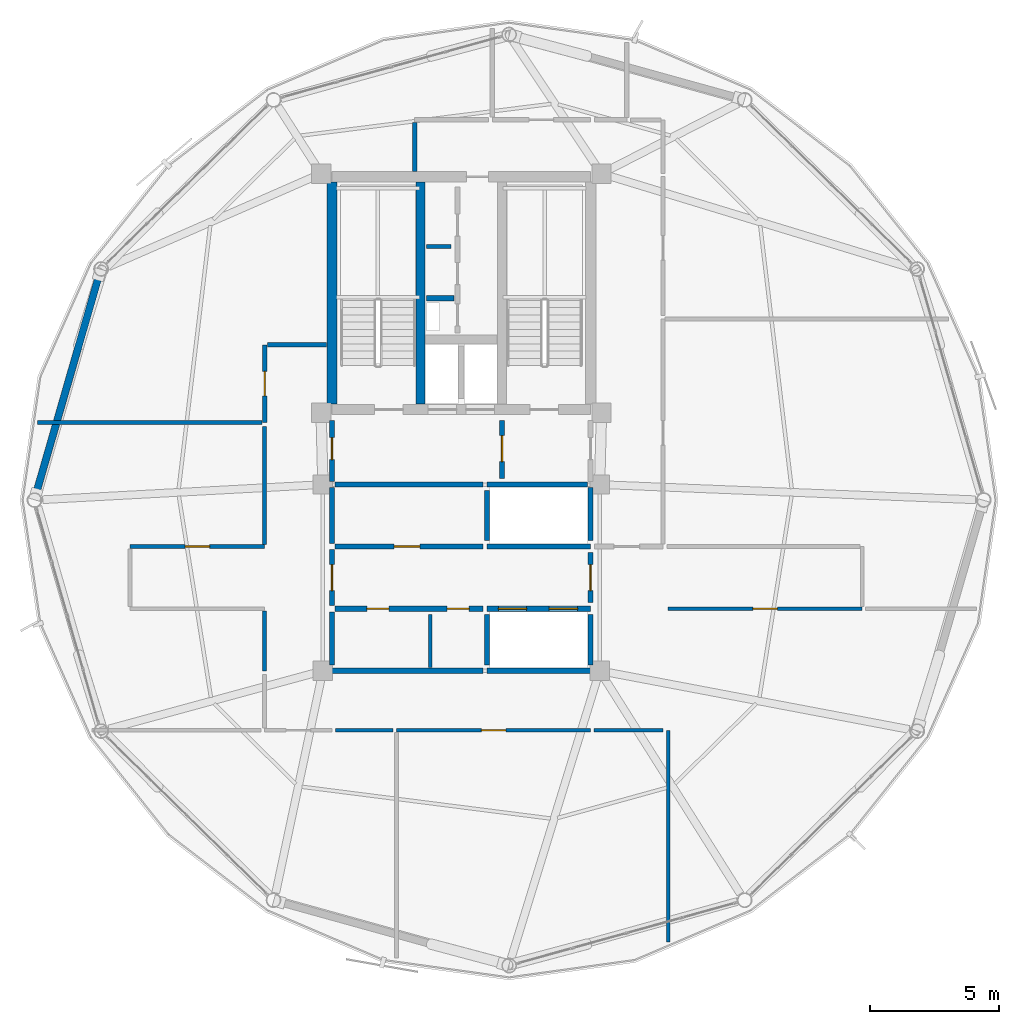
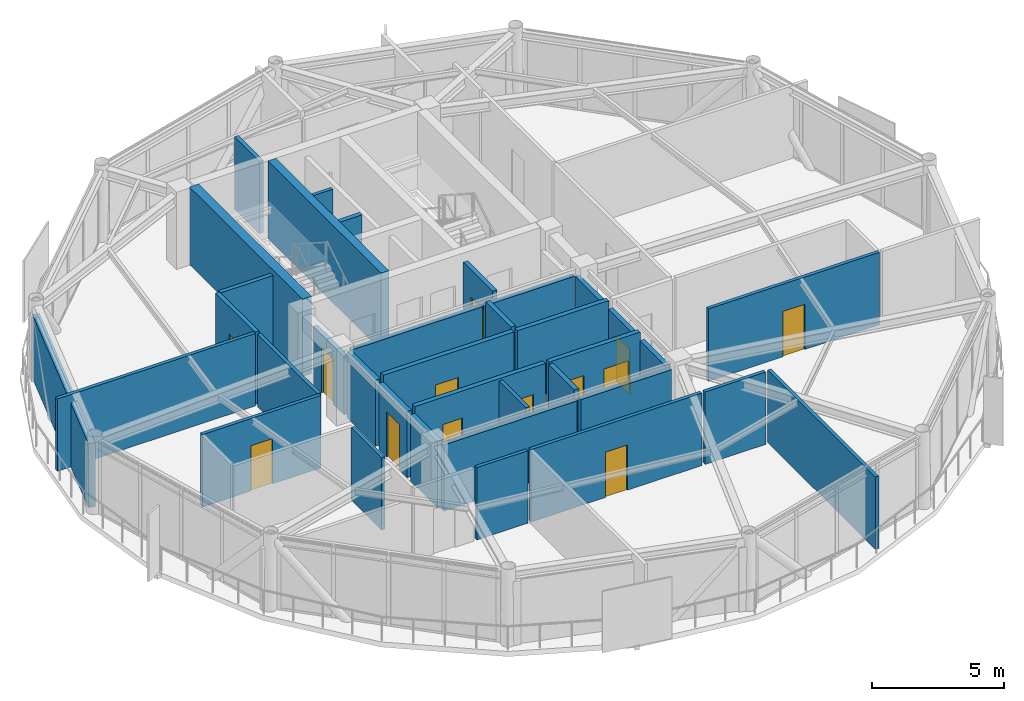
# One storey, part 21 of 26: 36 walls, 13 doors, 13 openings.
"""IFC4 building model written with IfcOpenShell, lengths in metres."""

from ifc_helpers import new_model, si_unit, direction, frame, frame_2d, origin, place, context, subcontext, project, spatial, rectangle, extrude, material, layer, layer_set, type_object, element, fill, save


model = new_model("IFC4")

# Units and contexts
model_context = context("Model", 3, precision=1e-05, world=origin(), true_north=direction((0.0, 1.0)))
body_context = subcontext(model_context, "Body", "Model", "MODEL_VIEW")
ifc_project = project(units=[si_unit("LENGTHUNIT", "METRE"), si_unit("AREAUNIT", "SQUARE_METRE"), si_unit("VOLUMEUNIT", "CUBIC_METRE"), si_unit("PLANEANGLEUNIT", "RADIAN"), si_unit("MASSUNIT", "GRAM", prefix="KILO")], contexts=[model_context])

# Site, building, storey
site_placement = place(None, origin())
site = spatial("IfcSite", under=ifc_project, at=site_placement, CompositionType="ELEMENT")
building_placement = place(site_placement, origin())
building = spatial("IfcBuilding", under=site, at=building_placement, Name="Varnakorn Sky Granary", CompositionType="ELEMENT")
storey_placement = place(building_placement, frame((0.0, 0.0, 256.199951171875)))
storey = spatial("IfcBuildingStorey", under=building, at=storey_placement, Name="L65", CompositionType="ELEMENT", Elevation=256.199951171875)

# Walls
ifc_material_1 = material(Name="Concrete C50/60", Category="concrete")
ifc_layer_1 = layer(ifc_material_1, 0.35009765625, Name="Concrete C50/60")
ifc_layer_set_1 = layer_set([ifc_layer_1], Name="Concrete C50/60")
wall_type_1 = type_object("IfcWallType", Name="WT-CW-INT-350", PredefinedType="SHEAR", material=ifc_layer_set_1)
wall_1_placement = place(storey_placement, frame((1.419921875, 3.7099609375, 0.0), z_axis=(0.0, 0.0, 1.0), x_axis=(0.0, 1.0, 0.0)))
element("IfcWall", 1, at=wall_1_placement, inside=storey, type_object=wall_type_1, Name="Stair ST-1 Core Wall L65", PredefinedType="SHEAR", context=body_context, shape_type="SweptSolid", body=[
    extrude(rectangle(XDim=8.580078125, YDim=0.35009765625, at=frame_2d((4.2900390625, 0.0))), origin(), (0.0, 0.0, 1.0), 3.592041015625),
])
ifc_layer_2 = layer(ifc_material_1, 0.39990234375, Name="Concrete C50/60")
ifc_layer_set_2 = layer_set([ifc_layer_2], Name="Concrete C50/60")
wall_type_2 = type_object("IfcWallType", Name="WT-CW-SHEAR-400", PredefinedType="SHEAR", material=ifc_layer_set_2)
wall_2_placement = place(storey_placement, frame((-2.0, 3.7099609375, 0.0), z_axis=(0.0, 0.0, 1.0), x_axis=(0.0, 1.0, 0.0)))
element("IfcWall", 2, at=wall_2_placement, inside=storey, type_object=wall_type_2, Name="Core West Shear Wall L65", PredefinedType="SHEAR", context=body_context, shape_type="SweptSolid", body=[
    extrude(rectangle(XDim=8.580078125, YDim=0.39990234375, at=frame_2d((4.2900390625, 0.0))), origin(), (0.0, 0.0, 1.0), 3.592041015625),
])
ifc_material_2 = material(Name="Precast concrete C40/50", Category="concrete")
ifc_layer_3 = layer(ifc_material_2, 0.280029296875, Name="Precast concrete C40/50")
ifc_layer_set_3 = layer_set([ifc_layer_3], Name="Precast concrete C40/50")
wall_type_3 = type_object("IfcWallType", Name="WT-EW-CRN-280", PredefinedType="SOLIDWALL", material=ifc_layer_set_3)
wall_3_placement = place(storey_placement, frame((-13.445068359375, 0.225341796875, 0.0), z_axis=(0.0, 0.0, 1.0), x_axis=(0.277093893844, 0.960842845628, 0.0)))
element("IfcWall", 3, at=wall_3_placement, inside=storey, type_object=wall_type_3, Name="Agritech Insulated Precast Facade Wall L65-P06", PredefinedType="SOLIDWALL", context=body_context, shape_type="SweptSolid", body=[
    extrude(rectangle(XDim=8.830078125, YDim=0.280029296875, at=frame_2d((4.4150390625, 0.0))), origin(), (0.0, 0.0, 1.0), 2.969970703125),
])

# Wall, opening, door
ifc_material_3 = material(Name="Autoclaved Aerated Concrete Blockwork", Category="masonry")
ifc_layer_4 = layer(ifc_material_3, 0.199951171875, Name="Autoclaved Aerated Concrete Blockwork")
ifc_layer_set_4 = layer_set([ifc_layer_4], Name="Autoclaved Aerated Concrete Blockwork")
wall_type_4 = type_object("IfcWallType", Name="WT-FIRE-200", PredefinedType="MOVABLE", material=ifc_layer_set_4)
wall_4_placement = place(storey_placement, frame((4.580078125, 0.830078125, 0.0), z_axis=(0.0, 0.0, 1.0), x_axis=(0.0, 1.0, 0.0)))
wall_4 = element("IfcWall", 4, at=wall_4_placement, inside=storey, type_object=wall_type_4, Name="Interior Partition Wall L65-012", PredefinedType="MOVABLE", context=body_context, shape_type="SweptSolid", body=[
    extrude(rectangle(XDim=2.239990234375, YDim=0.199951171875, at=frame_2d((1.1201171875, 0.0))), origin(), (0.0, 0.0, 1.0), 3.360107421875),
])
opening_1_placement = place(wall_4_placement, frame((0.659912109375, 0.0, 0.0)))
opening_1 = element("IfcOpeningElement", 5, at=opening_1_placement, cuts=wall_4, Name="Opening FD-60", PredefinedType="OPENING", context=body_context, shape_type="SweptSolid", body=[
    extrude(rectangle(XDim=1.0, YDim=2.10009765625, at=frame_2d((0.5, 1.050048828125))), frame((0.0, 0.10986328125, 0.0), z_axis=(0.0, -1.0, 0.0), x_axis=(1.0, 0.0, 0.0)), (0.0, 0.0, 1.0), 0.219970703125),
])
ifc_material_4 = material(Name="Acoustic Timber Fire Leaf", Category="wood")
door_type_1 = type_object("IfcDoorType", Name="DR-FD60-1000", OperationType="NOTDEFINED", PredefinedType="DOOR", material=ifc_material_4)
door_1_placement = place(opening_1_placement, origin())
door_1 = element("IfcDoor", 6, at=door_1_placement, inside=storey, type_object=door_type_1, Name="Interior Door L65-012-1", OperationType="SINGLE_SWING_LEFT", OverallHeight=2.10009765625, OverallWidth=1.0, PredefinedType="DOOR", context=body_context, shape_type="SweptSolid", body=[
    extrude(rectangle(XDim=1.0, YDim=2.10009765625, at=frame_2d((0.5, 1.050048828125))), frame((0.0, 0.02490234375, 0.0), z_axis=(0.0, -1.0, 0.0), x_axis=(1.0, 0.0, 0.0)), (0.0, 0.0, 1.0), 0.050048828125),
])
fill(opening_1, door_1)

wall_5_placement = place(storey_placement, frame((-2.0, 0.719970703125, 0.0), z_axis=(0.0, 0.0, 1.0), x_axis=(0.0, 1.0, 0.0)))
wall_5 = element("IfcWall", 7, at=wall_5_placement, inside=storey, type_object=wall_type_4, Name="Interior Partition Wall L65-013", PredefinedType="MOVABLE", context=body_context, shape_type="SweptSolid", body=[
    extrude(rectangle(XDim=2.35009765625, YDim=0.199951171875, at=frame_2d((1.175048828125, 0.0))), origin(), (0.0, 0.0, 1.0), 2.692138671875),
])
opening_2_placement = place(wall_5_placement, frame((0.844970703125, 0.0, 0.0)))
opening_2 = element("IfcOpeningElement", 8, at=opening_2_placement, cuts=wall_5, Name="Opening FD-60N", PredefinedType="OPENING", context=body_context, shape_type="SweptSolid", body=[
    extrude(rectangle(XDim=0.85009765625, YDim=2.10009765625, at=frame_2d((0.425048828125, 1.050048828125))), frame((0.0, 0.10986328125, 0.0), z_axis=(0.0, -1.0, 0.0), x_axis=(1.0, 0.0, 0.0)), (0.0, 0.0, 1.0), 0.219970703125),
])
door_type_2 = type_object("IfcDoorType", Name="DR-FD60-850", OperationType="NOTDEFINED", PredefinedType="DOOR", material=ifc_material_4)
door_2_placement = place(opening_2_placement, origin())
door_2 = element("IfcDoor", 9, at=door_2_placement, inside=storey, type_object=door_type_2, Name="Interior Door L65-013-1", OperationType="SINGLE_SWING_RIGHT", OverallHeight=2.10009765625, OverallWidth=0.85009765625, PredefinedType="DOOR", context=body_context, shape_type="SweptSolid", body=[
    extrude(rectangle(XDim=0.85009765625, YDim=2.10009765625, at=frame_2d((0.425048828125, 1.050048828125))), frame((0.0, 0.02490234375, 0.0), z_axis=(0.0, -1.0, 0.0), x_axis=(1.0, 0.0, 0.0)), (0.0, 0.0, 1.0), 0.050048828125),
])
fill(opening_2, door_2)

wall_6_placement = place(storey_placement, frame((-2.0, -4.080078125, 0.0), z_axis=(0.0, 0.0, 1.0), x_axis=(0.0, 1.0, 0.0)))
wall_6 = element("IfcWall", 10, at=wall_6_placement, inside=storey, type_object=wall_type_4, Name="Interior Partition Wall L65-015", PredefinedType="MOVABLE", context=body_context, shape_type="SweptSolid", body=[
    extrude(rectangle(XDim=2.16015625, YDim=0.199951171875, at=frame_2d((1.080078125, 0.0))), origin(), (0.0, 0.0, 1.0), 3.072021484375),
])
opening_3_placement = place(wall_6_placement, frame((0.580078125, 0.0, 0.0)))
opening_3 = element("IfcOpeningElement", 11, at=opening_3_placement, cuts=wall_6, Name="Opening FD-60", PredefinedType="OPENING", context=body_context, shape_type="SweptSolid", body=[
    extrude(rectangle(XDim=1.0, YDim=2.10009765625, at=frame_2d((0.5, 1.050048828125))), frame((0.0, 0.10986328125, 0.0), z_axis=(0.0, -1.0, 0.0), x_axis=(1.0, 0.0, 0.0)), (0.0, 0.0, 1.0), 0.219970703125),
])
door_3_placement = place(opening_3_placement, origin())
door_3 = element("IfcDoor", 12, at=door_3_placement, inside=storey, type_object=door_type_1, Name="Interior Door L65-015-1", OperationType="SINGLE_SWING_RIGHT", OverallHeight=2.10009765625, OverallWidth=1.0, PredefinedType="DOOR", context=body_context, shape_type="SweptSolid", body=[
    extrude(rectangle(XDim=1.0, YDim=2.10009765625, at=frame_2d((0.5, 1.050048828125))), frame((0.0, 0.02490234375, 0.0), z_axis=(0.0, -1.0, 0.0), x_axis=(1.0, 0.0, 0.0)), (0.0, 0.0, 1.0), 0.050048828125),
])
fill(opening_3, door_3)

wall_7_placement = place(storey_placement, frame((8.0, -3.969970703125, 0.0), z_axis=(0.0, 0.0, 1.0), x_axis=(0.0, 1.0, 0.0)))
wall_7 = element("IfcWall", 13, at=wall_7_placement, inside=storey, type_object=wall_type_4, Name="Interior Partition Wall L65-016", PredefinedType="MOVABLE", context=body_context, shape_type="SweptSolid", body=[
    extrude(rectangle(XDim=1.93994140625, YDim=0.199951171875, at=frame_2d((0.969970703125, 0.0))), origin(), (0.0, 0.0, 1.0), 3.072021484375),
])
opening_4_placement = place(wall_7_placement, frame((0.469970703125, 0.0, 0.0)))
opening_4 = element("IfcOpeningElement", 14, at=opening_4_placement, cuts=wall_7, Name="Opening FD-60", PredefinedType="OPENING", context=body_context, shape_type="SweptSolid", body=[
    extrude(rectangle(XDim=1.0, YDim=2.10009765625, at=frame_2d((0.5, 1.050048828125))), frame((0.0, 0.10986328125, 0.0), z_axis=(0.0, -1.0, 0.0), x_axis=(1.0, 0.0, 0.0)), (0.0, 0.0, 1.0), 0.219970703125),
])
door_4_placement = place(opening_4_placement, origin())
door_4 = element("IfcDoor", 15, at=door_4_placement, inside=storey, type_object=door_type_1, Name="Interior Door L65-016-1", OperationType="SINGLE_SWING_LEFT", OverallHeight=2.10009765625, OverallWidth=1.0, PredefinedType="DOOR", context=body_context, shape_type="SweptSolid", body=[
    extrude(rectangle(XDim=1.0, YDim=2.10009765625, at=frame_2d((0.5, 1.050048828125))), frame((0.0, 0.02490234375, 0.0), z_axis=(0.0, -1.0, 0.0), x_axis=(1.0, 0.0, 0.0)), (0.0, 0.0, 1.0), 0.050048828125),
])
fill(opening_4, door_4)

wall_8_placement = place(storey_placement, frame((-1.889892578125, -1.800048828125, 0.0), z_axis=(0.0, 0.0, 1.0), x_axis=(1.0, 0.0, 0.0)))
wall_8 = element("IfcWall", 16, at=wall_8_placement, inside=storey, type_object=wall_type_4, Name="Interior Partition Wall L65-017", PredefinedType="MOVABLE", context=body_context, shape_type="SweptSolid", body=[
    extrude(rectangle(XDim=5.72998046875, YDim=0.199951171875, at=frame_2d((2.864990234375, 0.0))), origin(), (0.0, 0.0, 1.0), 3.360107421875),
])
opening_5_placement = place(wall_8_placement, frame((2.2900390625, 0.0, 0.0)))
opening_5 = element("IfcOpeningElement", 17, at=opening_5_placement, cuts=wall_8, Name="Opening FD-60", PredefinedType="OPENING", context=body_context, shape_type="SweptSolid", body=[
    extrude(rectangle(XDim=1.0, YDim=2.10009765625, at=frame_2d((0.5, 1.050048828125))), frame((0.0, 0.10986328125, 0.0), z_axis=(0.0, -1.0, 0.0), x_axis=(1.0, 0.0, 0.0)), (0.0, 0.0, 1.0), 0.219970703125),
])
door_5_placement = place(opening_5_placement, origin())
door_5 = element("IfcDoor", 18, at=door_5_placement, inside=storey, type_object=door_type_1, Name="Interior Door L65-017-1", OperationType="SINGLE_SWING_RIGHT", OverallHeight=2.10009765625, OverallWidth=1.0, PredefinedType="DOOR", context=body_context, shape_type="SweptSolid", body=[
    extrude(rectangle(XDim=1.0, YDim=2.10009765625, at=frame_2d((0.5, 1.050048828125))), frame((0.0, 0.02490234375, 0.0), z_axis=(0.0, -1.0, 0.0), x_axis=(1.0, 0.0, 0.0)), (0.0, 0.0, 1.0), 0.050048828125),
])
fill(opening_5, door_5)

# Wall, openings, doors
wall_9_placement = place(storey_placement, frame((-1.889892578125, -4.199951171875, 0.0), z_axis=(0.0, 0.0, 1.0), x_axis=(1.0, 0.0, 0.0)))
wall_9 = element("IfcWall", 19, at=wall_9_placement, inside=storey, type_object=wall_type_4, Name="Interior Partition Wall L65-018", PredefinedType="MOVABLE", context=body_context, shape_type="SweptSolid", body=[
    extrude(rectangle(XDim=5.72998046875, YDim=0.199951171875, at=frame_2d((2.864990234375, 0.0))), origin(), (0.0, 0.0, 1.0), 3.360107421875),
])
opening_6_placement = place(wall_9_placement, frame((1.239990234375, 0.0, 0.0)))
opening_6 = element("IfcOpeningElement", 20, at=opening_6_placement, cuts=wall_9, Name="Opening FD-60N", PredefinedType="OPENING", context=body_context, shape_type="SweptSolid", body=[
    extrude(rectangle(XDim=0.85009765625, YDim=2.10009765625, at=frame_2d((0.425048828125, 1.050048828125))), frame((0.0, 0.10986328125, 0.0), z_axis=(0.0, -1.0, 0.0), x_axis=(1.0, 0.0, 0.0)), (0.0, 0.0, 1.0), 0.219970703125),
])
opening_7_placement = place(wall_9_placement, frame((4.340087890625, 0.0, 0.0)))
opening_7 = element("IfcOpeningElement", 21, at=opening_7_placement, cuts=wall_9, Name="Opening FD-60N", PredefinedType="OPENING", context=body_context, shape_type="SweptSolid", body=[
    extrude(rectangle(XDim=0.85009765625, YDim=2.10009765625, at=frame_2d((0.425048828125, 1.050048828125))), frame((0.0, 0.10986328125, 0.0), z_axis=(0.0, -1.0, 0.0), x_axis=(1.0, 0.0, 0.0)), (0.0, 0.0, 1.0), 0.219970703125),
])
door_6_placement = place(opening_6_placement, origin())
door_6 = element("IfcDoor", 22, at=door_6_placement, inside=storey, type_object=door_type_2, Name="Interior Door L65-018-1", OperationType="SINGLE_SWING_LEFT", OverallHeight=2.10009765625, OverallWidth=0.85009765625, PredefinedType="DOOR", context=body_context, shape_type="SweptSolid", body=[
    extrude(rectangle(XDim=0.85009765625, YDim=2.10009765625, at=frame_2d((0.425048828125, 1.050048828125))), frame((0.0, 0.02490234375, 0.0), z_axis=(0.0, -1.0, 0.0), x_axis=(1.0, 0.0, 0.0)), (0.0, 0.0, 1.0), 0.050048828125),
])
fill(opening_6, door_6)
door_7_placement = place(opening_7_placement, origin())
door_7 = element("IfcDoor", 23, at=door_7_placement, inside=storey, type_object=door_type_2, Name="Interior Door L65-018-2", OperationType="SINGLE_SWING_RIGHT", OverallHeight=2.10009765625, OverallWidth=0.85009765625, PredefinedType="DOOR", context=body_context, shape_type="SweptSolid", body=[
    extrude(rectangle(XDim=0.85009765625, YDim=2.10009765625, at=frame_2d((0.425048828125, 1.050048828125))), frame((0.0, 0.02490234375, 0.0), z_axis=(0.0, -1.0, 0.0), x_axis=(1.0, 0.0, 0.0)), (0.0, 0.0, 1.0), 0.050048828125),
])
fill(opening_7, door_7)

# Walls
wall_10_placement = place(storey_placement, frame((-1.8798828125, 0.60009765625, 0.0), z_axis=(0.0, 0.0, 1.0), x_axis=(1.0, 0.0, 0.0)))
element("IfcWall", 24, at=wall_10_placement, inside=storey, type_object=wall_type_4, Name="Interior Partition Wall L65-029", PredefinedType="MOVABLE", context=body_context, shape_type="SweptSolid", body=[
    extrude(rectangle(XDim=5.719970703125, YDim=0.199951171875, at=frame_2d((2.85986328125, 0.0))), origin(), (0.0, 0.0, 1.0), 3.072021484375),
])
wall_11_placement = place(storey_placement, frame((-2.0, -1.679931640625, 0.0), z_axis=(0.0, 0.0, 1.0), x_axis=(0.0, 1.0, 0.0)))
element("IfcWall", 25, at=wall_11_placement, inside=storey, type_object=wall_type_4, Name="Interior Partition Wall L65-030", PredefinedType="MOVABLE", context=body_context, shape_type="SweptSolid", body=[
    extrude(rectangle(XDim=2.159912109375, YDim=0.199951171875, at=frame_2d((1.080078125, 0.0))), origin(), (0.0, 0.0, 1.0), 3.072021484375),
])
wall_12_placement = place(storey_placement, frame((-2.0, -6.60009765625, 0.0), z_axis=(0.0, 0.0, 1.0), x_axis=(1.0, 0.0, 0.0)))
element("IfcWall", 26, at=wall_12_placement, inside=storey, type_object=wall_type_4, Name="Interior Partition Wall L65-032", PredefinedType="MOVABLE", context=body_context, shape_type="SweptSolid", body=[
    extrude(rectangle(XDim=5.840087890625, YDim=0.199951171875, at=frame_2d((2.919921875, 0.0))), origin(), (0.0, 0.0, 1.0), 3.072021484375),
])
wall_13_placement = place(storey_placement, frame((-2.0, -6.3701171875, 0.0), z_axis=(0.0, 0.0, 1.0), x_axis=(0.0, 1.0, 0.0)))
element("IfcWall", 27, at=wall_13_placement, inside=storey, type_object=wall_type_4, Name="Interior Partition Wall L65-033", PredefinedType="MOVABLE", context=body_context, shape_type="SweptSolid", body=[
    extrude(rectangle(XDim=2.050048828125, YDim=0.199951171875, at=frame_2d((1.02490234375, 0.0))), origin(), (0.0, 0.0, 1.0), 3.072021484375),
])

# Wall, opening, door
ifc_material_5 = material(Name="Gypsum Plasterboard on Steel Stud", Category="steel")
ifc_layer_5 = layer(ifc_material_5, 0.14990234375, Name="Gypsum Plasterboard on Steel Stud")
ifc_layer_set_5 = layer_set([ifc_layer_5], Name="Gypsum Plasterboard on Steel Stud")
wall_type_5 = type_object("IfcWallType", Name="WT-PART-150", PredefinedType="PARTITIONING", material=ifc_layer_set_5)
wall_14_placement = place(storey_placement, frame((0.5, -8.89990234375, 0.0), z_axis=(0.0, 0.0, 1.0), x_axis=(1.0, 0.0, 0.0)))
wall_14 = element("IfcWall", 28, at=wall_14_placement, inside=storey, type_object=wall_type_5, Name="Interior Partition Wall L65-022", PredefinedType="PARTITIONING", context=body_context, shape_type="SweptSolid", body=[
    extrude(rectangle(XDim=7.5, YDim=0.14990234375, at=frame_2d((3.75, 0.0))), origin(), (0.0, 0.0, 1.0), 3.360107421875),
])
opening_8_placement = place(wall_14_placement, frame((3.27490234375, 0.0, 0.0)))
opening_8 = element("IfcOpeningElement", 29, at=opening_8_placement, cuts=wall_14, Name="Opening ID-95", PredefinedType="OPENING", context=body_context, shape_type="SweptSolid", body=[
    extrude(rectangle(XDim=0.949951171875, YDim=2.10009765625, at=frame_2d((0.47509765625, 1.050048828125))), frame((0.0, 0.0849609375, 0.0), z_axis=(0.0, -1.0, 0.0), x_axis=(1.0, 0.0, 0.0)), (0.0, 0.0, 1.0), 0.169921875),
])
ifc_material_6 = material(Name="Solid-Core Teak Veneer Leaf", Category="timber")
door_type_3 = type_object("IfcDoorType", Name="DR-INT-950", OperationType="NOTDEFINED", PredefinedType="DOOR", material=ifc_material_6)
door_8_placement = place(opening_8_placement, origin())
door_8 = element("IfcDoor", 30, at=door_8_placement, inside=storey, type_object=door_type_3, Name="Interior Door L65-022-1", OperationType="SINGLE_SWING_RIGHT", OverallHeight=2.10009765625, OverallWidth=0.949951171875, PredefinedType="DOOR", context=body_context, shape_type="SweptSolid", body=[
    extrude(rectangle(XDim=0.949951171875, YDim=2.10009765625, at=frame_2d((0.47509765625, 1.050048828125))), frame((0.0, 0.02490234375, 0.0), z_axis=(0.0, -1.0, 0.0), x_axis=(1.0, 0.0, 0.0)), (0.0, 0.0, 1.0), 0.050048828125),
])
fill(opening_8, door_8)

wall_15_placement = place(storey_placement, frame((11.0, -4.199951171875, 0.0), z_axis=(0.0, 0.0, 1.0), x_axis=(1.0, 0.0, 0.0)))
wall_15 = element("IfcWall", 31, at=wall_15_placement, inside=storey, type_object=wall_type_5, Name="Interior Partition Wall L65-023", PredefinedType="PARTITIONING", context=body_context, shape_type="SweptSolid", body=[
    extrude(rectangle(XDim=7.5, YDim=0.14990234375, at=frame_2d((3.75, 0.0))), origin(), (0.0, 0.0, 1.0), 3.360107421875),
])
opening_9_placement = place(wall_15_placement, frame((3.27490234375, 0.0, 0.0)))
opening_9 = element("IfcOpeningElement", 32, at=opening_9_placement, cuts=wall_15, Name="Opening ID-95", PredefinedType="OPENING", context=body_context, shape_type="SweptSolid", body=[
    extrude(rectangle(XDim=0.949951171875, YDim=2.10009765625, at=frame_2d((0.47509765625, 1.050048828125))), frame((0.0, 0.0849609375, 0.0), z_axis=(0.0, -1.0, 0.0), x_axis=(1.0, 0.0, 0.0)), (0.0, 0.0, 1.0), 0.169921875),
])
door_9_placement = place(opening_9_placement, origin())
door_9 = element("IfcDoor", 33, at=door_9_placement, inside=storey, type_object=door_type_3, Name="Interior Door L65-023-1", OperationType="SINGLE_SWING_LEFT", OverallHeight=2.10009765625, OverallWidth=0.949951171875, PredefinedType="DOOR", context=body_context, shape_type="SweptSolid", body=[
    extrude(rectangle(XDim=0.949951171875, YDim=2.10009765625, at=frame_2d((0.47509765625, 1.050048828125))), frame((0.0, 0.02490234375, 0.0), z_axis=(0.0, -1.0, 0.0), x_axis=(1.0, 0.0, 0.0)), (0.0, 0.0, 1.0), 0.050048828125),
])
fill(opening_9, door_9)

wall_16_placement = place(storey_placement, frame((-4.60009765625, -1.800048828125, 0.0), z_axis=(0.0, 0.0, 1.0), x_axis=(-1.0, 0.0, 0.0)))
wall_16 = element("IfcWall", 34, at=wall_16_placement, inside=storey, type_object=wall_type_5, Name="Interior Partition Wall L65-024", PredefinedType="PARTITIONING", context=body_context, shape_type="SweptSolid", body=[
    extrude(rectangle(XDim=5.199951171875, YDim=0.14990234375, at=frame_2d((2.60009765625, 0.0))), origin(), (0.0, 0.0, 1.0), 3.360107421875),
])
opening_10_placement = place(wall_16_placement, frame((2.125, 0.0, 0.0)))
opening_10 = element("IfcOpeningElement", 35, at=opening_10_placement, cuts=wall_16, Name="Opening ID-95", PredefinedType="OPENING", context=body_context, shape_type="SweptSolid", body=[
    extrude(rectangle(XDim=0.949951171875, YDim=2.10009765625, at=frame_2d((0.47509765625, 1.050048828125))), frame((0.0, 0.0849609375, 0.0), z_axis=(0.0, -1.0, 0.0), x_axis=(1.0, 0.0, 0.0)), (0.0, 0.0, 1.0), 0.169921875),
])
door_10_placement = place(opening_10_placement, origin())
door_10 = element("IfcDoor", 36, at=door_10_placement, inside=storey, type_object=door_type_3, Name="Interior Door L65-024-1", OperationType="SINGLE_SWING_RIGHT", OverallHeight=2.10009765625, OverallWidth=0.949951171875, PredefinedType="DOOR", context=body_context, shape_type="SweptSolid", body=[
    extrude(rectangle(XDim=0.949951171875, YDim=2.10009765625, at=frame_2d((0.47509765625, 1.050048828125))), frame((0.0, 0.02490234375, 0.0), z_axis=(0.0, -1.0, 0.0), x_axis=(1.0, 0.0, 0.0)), (0.0, 0.0, 1.0), 0.050048828125),
])
fill(opening_10, door_10)

# Walls
wall_17_placement = place(storey_placement, frame((1.64990234375, 9.800048828125, 0.0), z_axis=(0.0, 0.0, 1.0), x_axis=(1.0, 0.0, 0.0)))
element("IfcWall", 37, at=wall_17_placement, inside=storey, type_object=wall_type_5, Name="Interior Partition Wall L65-028", PredefinedType="PARTITIONING", context=body_context, shape_type="SweptSolid", body=[
    extrude(rectangle(XDim=0.960205078125, YDim=0.14990234375, at=frame_2d((0.47998046875, 0.0))), origin(), (0.0, 0.0, 1.0), 3.360107421875),
])
wall_18_placement = place(storey_placement, frame((1.800048828125, -6.47998046875, 0.0), z_axis=(0.0, 0.0, 1.0), x_axis=(0.0, 1.0, 0.0)))
element("IfcWall", 38, at=wall_18_placement, inside=storey, type_object=wall_type_5, Name="Interior Partition Wall L65-031", PredefinedType="PARTITIONING", context=body_context, shape_type="SweptSolid", body=[
    extrude(rectangle(XDim=2.050048828125, YDim=0.14990234375, at=frame_2d((1.02490234375, 0.0))), origin(), (0.0, 0.0, 1.0), 3.360107421875),
])
wall_19_placement = place(storey_placement, frame((-1.864990234375, -8.89990234375, 0.0), z_axis=(0.0, 0.0, 1.0), x_axis=(1.0, 0.0, 0.0)))
element("IfcWall", 39, at=wall_19_placement, inside=storey, type_object=wall_type_5, Name="Interior Partition Wall L65-035", PredefinedType="PARTITIONING", context=body_context, shape_type="SweptSolid", body=[
    extrude(rectangle(XDim=2.22998046875, YDim=0.14990234375, at=frame_2d((1.114990234375, 0.0))), origin(), (0.0, 0.0, 1.0), 3.360107421875),
])
wall_20_placement = place(storey_placement, frame((8.135009765625, -8.89990234375, 0.0), z_axis=(0.0, 0.0, 1.0), x_axis=(1.0, 0.0, 0.0)))
element("IfcWall", 40, at=wall_20_placement, inside=storey, type_object=wall_type_5, Name="Interior Partition Wall L65-038", PredefinedType="PARTITIONING", context=body_context, shape_type="SweptSolid", body=[
    extrude(rectangle(XDim=2.6650390625, YDim=0.14990234375, at=frame_2d((1.33251953125, 0.0))), origin(), (0.0, 0.0, 1.0), 3.360107421875),
])
wall_21_placement = place(storey_placement, frame((11.0, -8.89990234375, 0.0), z_axis=(0.0, 0.0, 1.0), x_axis=(0.0, -1.0, 0.0)))
element("IfcWall", 41, at=wall_21_placement, inside=storey, type_object=wall_type_5, Name="Interior Partition Wall L65-039", PredefinedType="PARTITIONING", context=body_context, shape_type="SweptSolid", body=[
    extrude(rectangle(XDim=8.17919921875, YDim=0.14990234375, at=frame_2d((4.089599609375, 0.0))), origin(), (0.0, 0.0, 1.0), 3.360107421875),
])
wall_22_placement = place(storey_placement, frame((-4.60009765625, 2.85009765625, 0.0), z_axis=(0.0, 0.0, 1.0), x_axis=(0.0, -1.0, 0.0)))
element("IfcWall", 42, at=wall_22_placement, inside=storey, type_object=wall_type_5, Name="Interior Partition Wall L65-042", PredefinedType="PARTITIONING", context=body_context, shape_type="SweptSolid", body=[
    extrude(rectangle(XDim=4.565185546875, YDim=0.14990234375, at=frame_2d((2.28271484375, 0.0))), origin(), (0.0, 0.0, 1.0), 3.360107421875),
])
wall_23_placement = place(storey_placement, frame((-4.60009765625, -4.284912109375, 0.0), z_axis=(0.0, 0.0, 1.0), x_axis=(0.0, -1.0, 0.0)))
element("IfcWall", 43, at=wall_23_placement, inside=storey, type_object=wall_type_5, Name="Interior Partition Wall L65-044", PredefinedType="PARTITIONING", context=body_context, shape_type="SweptSolid", body=[
    extrude(rectangle(XDim=2.315185546875, YDim=0.14990234375, at=frame_2d((1.15771484375, 0.0))), origin(), (0.0, 0.0, 1.0), 3.360107421875),
])
wall_24_placement = place(storey_placement, frame((-13.388916015625, 3.0, 0.0), z_axis=(0.0, 0.0, 1.0), x_axis=(1.0, 0.0, 0.0)))
element("IfcWall", 44, at=wall_24_placement, inside=storey, type_object=wall_type_5, Name="Interior Partition Wall L65-046", PredefinedType="PARTITIONING", context=body_context, shape_type="SweptSolid", body=[
    extrude(rectangle(XDim=8.68896484375, YDim=0.14990234375, at=frame_2d((4.344482421875, 0.0))), origin(), (0.0, 0.0, 1.0), 3.360107421875),
])

# Wall, opening, door
ifc_material_7 = material(Name="Moisture-Resistant Gypsum on Stud", Category="gypsum")
ifc_layer_6 = layer(ifc_material_7, 0.179931640625, Name="Moisture-Resistant Gypsum on Stud")
ifc_layer_set_6 = layer_set([ifc_layer_6], Name="Moisture-Resistant Gypsum on Stud")
wall_type_6 = type_object("IfcWallType", Name="WT-PLUMB-180", PredefinedType="PLUMBINGWALL", material=ifc_layer_set_6)
wall_25_placement = place(storey_placement, frame((-4.60009765625, 6.0, 0.0), z_axis=(0.0, 0.0, 1.0), x_axis=(0.0, -1.0, 0.0)))
wall_25 = element("IfcWall", 45, at=wall_25_placement, inside=storey, type_object=wall_type_6, Name="Interior Partition Wall L65-025", PredefinedType="PLUMBINGWALL", context=body_context, shape_type="SweptSolid", body=[
    extrude(rectangle(XDim=3.0, YDim=0.179931640625, at=frame_2d((1.5, 0.0))), origin(), (0.0, 0.0, 1.0), 3.360107421875),
])
opening_11_placement = place(wall_25_placement, frame((1.02490234375, 0.0, 0.0)))
opening_11 = element("IfcOpeningElement", 46, at=opening_11_placement, cuts=wall_25, Name="Opening ID-95", PredefinedType="OPENING", context=body_context, shape_type="SweptSolid", body=[
    extrude(rectangle(XDim=0.949951171875, YDim=2.10009765625, at=frame_2d((0.47509765625, 1.050048828125))), frame((0.0, 0.10009765625, 0.0), z_axis=(0.0, -1.0, 0.0), x_axis=(1.0, 0.0, 0.0)), (0.0, 0.0, 1.0), 0.199951171875),
])
door_11_placement = place(opening_11_placement, origin())
door_11 = element("IfcDoor", 47, at=door_11_placement, inside=storey, type_object=door_type_3, Name="Interior Door L65-025-1", OperationType="SINGLE_SWING_LEFT", OverallHeight=2.10009765625, OverallWidth=0.949951171875, PredefinedType="DOOR", context=body_context, shape_type="SweptSolid", body=[
    extrude(rectangle(XDim=0.949951171875, YDim=2.10009765625, at=frame_2d((0.47509765625, 1.050048828125))), frame((0.0, 0.02490234375, 0.0), z_axis=(0.0, -1.0, 0.0), x_axis=(1.0, 0.0, 0.0)), (0.0, 0.0, 1.0), 0.050048828125),
])
fill(opening_11, door_11)

# Walls
wall_26_placement = place(storey_placement, frame((-2.2099609375, 6.0, 0.0), z_axis=(0.0, 0.0, 1.0), x_axis=(-1.0, 0.0, 0.0)))
element("IfcWall", 48, at=wall_26_placement, inside=storey, type_object=wall_type_6, Name="Interior Partition Wall L65-047", PredefinedType="PLUMBINGWALL", context=body_context, shape_type="SweptSolid", body=[
    extrude(rectangle(XDim=2.2900390625, YDim=0.179931640625, at=frame_2d((1.14501953125, 0.0))), origin(), (0.0, 0.0, 1.0), 3.360107421875),
])
wall_27_placement = place(storey_placement, frame((1.199951171875, 14.60009765625, 0.0), z_axis=(0.0, 0.0, 1.0), x_axis=(0.0, -1.0, 0.0)))
element("IfcWall", 49, at=wall_27_placement, inside=storey, type_object=wall_type_6, Name="Interior Partition Wall L65-049", PredefinedType="PLUMBINGWALL", context=body_context, shape_type="SweptSolid", body=[
    extrude(rectangle(XDim=1.89013671875, YDim=0.179931640625, at=frame_2d((0.945068359375, 0.0))), origin(), (0.0, 0.0, 1.0), 3.360107421875),
])
ifc_layer_7 = layer(ifc_material_3, 0.199951171875, Name="Autoclaved Aerated Concrete Blockwork")
ifc_layer_set_7 = layer_set([ifc_layer_7], Name="Autoclaved Aerated Concrete Blockwork")
wall_type_7 = type_object("IfcWallType", Name="WT-SHAFT-200", PredefinedType="SOLIDWALL", material=ifc_layer_set_7)
wall_28_placement = place(storey_placement, frame((1.64990234375, 7.800048828125, 0.0), z_axis=(0.0, 0.0, 1.0), x_axis=(1.0, 0.0, 0.0)))
element("IfcWall", 50, at=wall_28_placement, inside=storey, type_object=wall_type_7, Name="Interior Partition Wall L65-002", PredefinedType="SOLIDWALL", context=body_context, shape_type="SweptSolid", body=[
    extrude(rectangle(XDim=1.070068359375, YDim=0.199951171875, at=frame_2d((0.53515625, 0.0))), origin(), (0.0, 0.0, 1.0), 3.360107421875),
])
wall_29_placement = place(storey_placement, frame((4.0, 0.60009765625, 0.0), z_axis=(0.0, 0.0, 1.0), x_axis=(1.0, 0.0, 0.0)))
element("IfcWall", 51, at=wall_29_placement, inside=storey, type_object=wall_type_7, Name="Interior Partition Wall L65-003", PredefinedType="SOLIDWALL", context=body_context, shape_type="SweptSolid", body=[
    extrude(rectangle(XDim=3.8798828125, YDim=0.199951171875, at=frame_2d((1.93994140625, 0.0))), origin(), (0.0, 0.0, 1.0), 3.072021484375),
])
wall_30_placement = place(storey_placement, frame((4.0, -1.800048828125, 0.0), z_axis=(0.0, 0.0, 1.0), x_axis=(1.0, 0.0, 0.0)))
element("IfcWall", 52, at=wall_30_placement, inside=storey, type_object=wall_type_7, Name="Interior Partition Wall L65-004", PredefinedType="SOLIDWALL", context=body_context, shape_type="SweptSolid", body=[
    extrude(rectangle(XDim=4.0, YDim=0.199951171875, at=frame_2d((2.0, 0.0))), origin(), (0.0, 0.0, 1.0), 3.360107421875),
])
wall_31_placement = place(storey_placement, frame((4.0, -1.570068359375, 0.0), z_axis=(0.0, 0.0, 1.0), x_axis=(0.0, 1.0, 0.0)))
element("IfcWall", 53, at=wall_31_placement, inside=storey, type_object=wall_type_7, Name="Interior Partition Wall L65-005", PredefinedType="SOLIDWALL", context=body_context, shape_type="SweptSolid", body=[
    extrude(rectangle(XDim=1.940185546875, YDim=0.199951171875, at=frame_2d((0.97021484375, 0.0))), origin(), (0.0, 0.0, 1.0), 3.360107421875),
])
wall_32_placement = place(storey_placement, frame((8.0, -1.570068359375, 0.0), z_axis=(0.0, 0.0, 1.0), x_axis=(0.0, 1.0, 0.0)))
element("IfcWall", 54, at=wall_32_placement, inside=storey, type_object=wall_type_7, Name="Interior Partition Wall L65-006", PredefinedType="SOLIDWALL", context=body_context, shape_type="SweptSolid", body=[
    extrude(rectangle(XDim=2.050048828125, YDim=0.199951171875, at=frame_2d((1.02490234375, 0.0))), origin(), (0.0, 0.0, 1.0), 3.072021484375),
])

# Wall, openings, doors
wall_33_placement = place(storey_placement, frame((4.0, -4.199951171875, 0.0), z_axis=(0.0, 0.0, 1.0), x_axis=(1.0, 0.0, 0.0)))
wall_33 = element("IfcWall", 55, at=wall_33_placement, inside=storey, type_object=wall_type_7, Name="Interior Partition Wall L65-007", PredefinedType="SOLIDWALL", context=body_context, shape_type="SweptSolid", body=[
    extrude(rectangle(XDim=4.0, YDim=0.199951171875, at=frame_2d((2.0, 0.0))), origin(), (0.0, 0.0, 1.0), 3.360107421875),
])
opening_12_placement = place(wall_33_placement, frame((0.429931640625, 0.0, 0.0)))
opening_12 = element("IfcOpeningElement", 56, at=opening_12_placement, cuts=wall_33, Name="Opening LD-01", PredefinedType="OPENING", context=body_context, shape_type="SweptSolid", body=[
    extrude(rectangle(XDim=1.10009765625, YDim=2.199951171875, at=frame_2d((0.550048828125, 1.10009765625))), frame((0.0, 0.10986328125, 0.0), z_axis=(0.0, -1.0, 0.0), x_axis=(1.0, 0.0, 0.0)), (0.0, 0.0, 1.0), 0.219970703125),
])
opening_13_placement = place(wall_33_placement, frame((2.39990234375, 0.0, 0.0)))
opening_13 = element("IfcOpeningElement", 57, at=opening_13_placement, cuts=wall_33, Name="Opening LD-01", PredefinedType="OPENING", context=body_context, shape_type="SweptSolid", body=[
    extrude(rectangle(XDim=1.10009765625, YDim=2.199951171875, at=frame_2d((0.550048828125, 1.10009765625))), frame((0.0, 0.10986328125, 0.0), z_axis=(0.0, -1.0, 0.0), x_axis=(1.0, 0.0, 0.0)), (0.0, 0.0, 1.0), 0.219970703125),
])
ifc_material_8 = material(Name="Brushed Bronze Stainless Steel", Category="steel")
door_type_4 = type_object("IfcDoorType", Name="DR-LD-1100", OperationType="DOUBLE_DOOR_SLIDING", PredefinedType="DOOR", material=ifc_material_8)
door_12_placement = place(opening_12_placement, origin())
door_12 = element("IfcDoor", 58, at=door_12_placement, inside=storey, type_object=door_type_4, Name="Passenger Lift PL-H1 Sliding Landing Door L65", OperationType="DOUBLE_DOOR_SLIDING", OverallHeight=2.199951171875, OverallWidth=1.10009765625, PredefinedType="DOOR", context=body_context, shape_type="SweptSolid", body=[
    extrude(rectangle(XDim=1.10009765625, YDim=2.199951171875, at=frame_2d((0.550048828125, 1.10009765625))), frame((0.0, 0.02490234375, 0.0), z_axis=(0.0, -1.0, 0.0), x_axis=(1.0, 0.0, 0.0)), (0.0, 0.0, 1.0), 0.050048828125),
])
fill(opening_12, door_12)
door_13_placement = place(opening_13_placement, origin())
door_13 = element("IfcDoor", 59, at=door_13_placement, inside=storey, type_object=door_type_4, Name="Passenger Lift PL-H2 Sliding Landing Door L65", OperationType="DOUBLE_DOOR_SLIDING", OverallHeight=2.199951171875, OverallWidth=1.10009765625, PredefinedType="DOOR", context=body_context, shape_type="SweptSolid", body=[
    extrude(rectangle(XDim=1.10009765625, YDim=2.199951171875, at=frame_2d((0.550048828125, 1.10009765625))), frame((0.0, 0.02490234375, 0.0), z_axis=(0.0, -1.0, 0.0), x_axis=(1.0, 0.0, 0.0)), (0.0, 0.0, 1.0), 0.050048828125),
])
fill(opening_13, door_13)

# Walls
wall_34_placement = place(storey_placement, frame((4.0, -6.60009765625, 0.0), z_axis=(0.0, 0.0, 1.0), x_axis=(1.0, 0.0, 0.0)))
element("IfcWall", 60, at=wall_34_placement, inside=storey, type_object=wall_type_7, Name="Interior Partition Wall L65-008", PredefinedType="SOLIDWALL", context=body_context, shape_type="SweptSolid", body=[
    extrude(rectangle(XDim=4.0, YDim=0.199951171875, at=frame_2d((2.0, 0.0))), origin(), (0.0, 0.0, 1.0), 3.072021484375),
])
wall_35_placement = place(storey_placement, frame((4.0, -6.3701171875, 0.0), z_axis=(0.0, 0.0, 1.0), x_axis=(0.0, 1.0, 0.0)))
element("IfcWall", 61, at=wall_35_placement, inside=storey, type_object=wall_type_7, Name="Interior Partition Wall L65-009", PredefinedType="SOLIDWALL", context=body_context, shape_type="SweptSolid", body=[
    extrude(rectangle(XDim=1.940185546875, YDim=0.199951171875, at=frame_2d((0.97021484375, 0.0))), origin(), (0.0, 0.0, 1.0), 3.360107421875),
])
wall_36_placement = place(storey_placement, frame((8.0, -6.3701171875, 0.0), z_axis=(0.0, 0.0, 1.0), x_axis=(0.0, 1.0, 0.0)))
element("IfcWall", 62, at=wall_36_placement, inside=storey, type_object=wall_type_7, Name="Interior Partition Wall L65-010", PredefinedType="SOLIDWALL", context=body_context, shape_type="SweptSolid", body=[
    extrude(rectangle(XDim=1.940185546875, YDim=0.199951171875, at=frame_2d((0.97021484375, 0.0))), origin(), (0.0, 0.0, 1.0), 3.072021484375),
])

save(model, "model.ifc")
